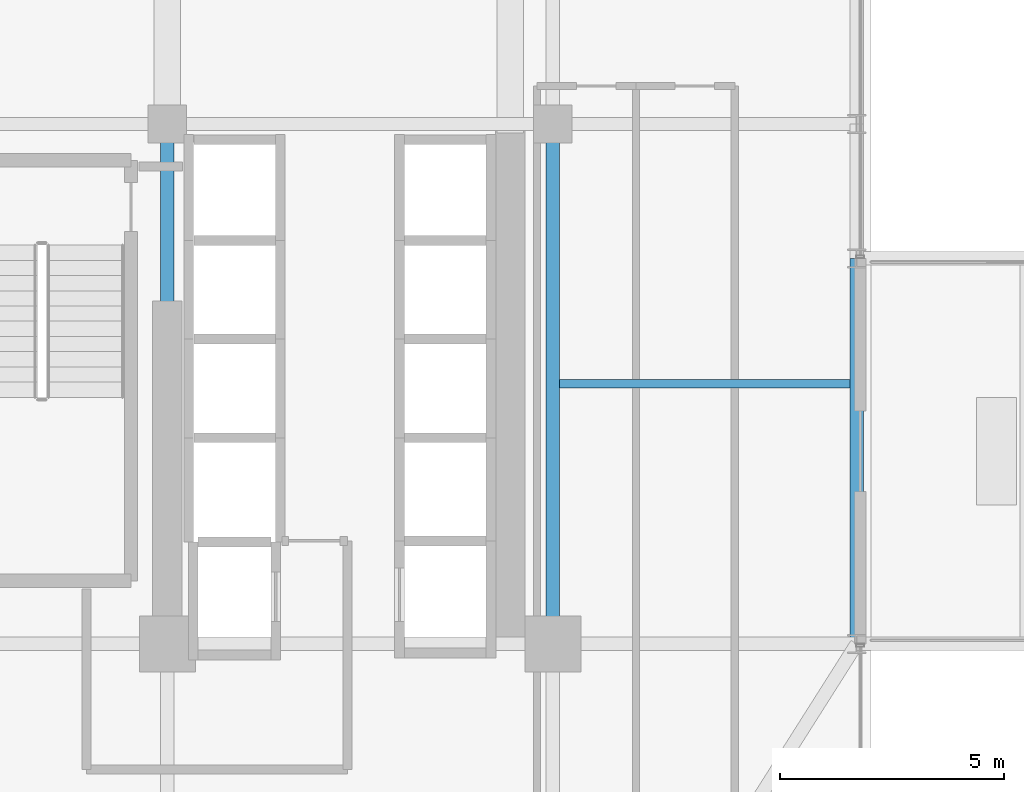
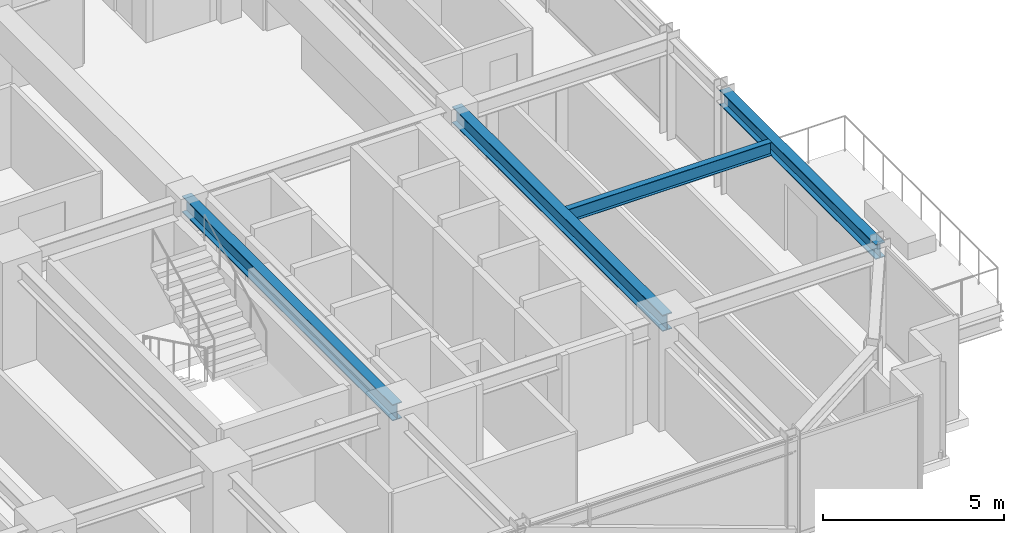
# One storey, part 12 of 41: 4 beams.
"""IFC4 building model written with IfcOpenShell, lengths in metres."""

import ifcopenshell
import ifcopenshell.guid

model = None  # the IFC model being written
_history = None  # IfcOwnerHistory: only IFC2X3 demands one
_inside = {}  # id of a spatial element -> (the spatial element, [elements in it])
_under = {}  # id of a project, library or spatial element -> (it, [spatial elements below it])
_declared = {}  # id of a project -> (the project, [libraries it declares])
_typed = {}  # id of a type object -> (the type object, [elements of that type])
_made_of = {}  # id of a material, layer set ... -> (it, [elements and type objects made of it])


def new_model(schema):
    """Start an empty IFC model of exactly this schema.

    Asked for "IFC4X3", IfcOpenShell would pick the latest addendum, in which some entities
    have other attributes; the version numbers below select the first issue.
    IFC2X3 requires an IfcOwnerHistory on every rooted entity: one is made here for all.
    """
    global model, _history
    if schema == "IFC4X3":
        model = ifcopenshell.file(schema_version=(4, 3, 0, 0))
    else:
        model = ifcopenshell.file(schema=schema)
    _inside.clear()
    _under.clear()
    _declared.clear()
    _typed.clear()
    _made_of.clear()
    _history = None
    if model.schema == "IFC2X3":
        org = make("IfcOrganization", Name="unknown")
        user = make(
            "IfcPersonAndOrganization",
            ThePerson=make("IfcPerson", FamilyName="unknown"),
            TheOrganization=org,
        )
        app = make(
            "IfcApplication",
            ApplicationDeveloper=org,
            Version="unknown",
            ApplicationFullName="unknown",
            ApplicationIdentifier="unknown",
        )
        _history = make(
            "IfcOwnerHistory",
            OwningUser=user,
            OwningApplication=app,
            ChangeAction="ADDED",
            CreationDate=0,
        )
    return model


def make(cls, **values):
    """One entity of the class cls with the attributes given. An attribute that is None is left unset."""
    return model.create_entity(
        cls, **{name: value for name, value in values.items() if value is not None}
    )


def rooted(cls, **values):
    """An entity with a GlobalId (a new one), such as an element, a storey or a relation."""
    return make(cls, GlobalId=ifcopenshell.guid.new(), OwnerHistory=_history, **values)


def si_unit(unit_type, name, prefix=None):
    """IfcSIUnit, for example si_unit("LENGTHUNIT", "METRE", prefix="MILLI")."""
    return make("IfcSIUnit", UnitType=unit_type, Prefix=prefix, Name=name)


def assignment(units):
    """IfcUnitAssignment: the units of a project."""
    return None if units is None else make("IfcUnitAssignment", Units=units)


def point(xyz):
    """IfcCartesianPoint."""
    return None if xyz is None else make("IfcCartesianPoint", Coordinates=xyz)


def direction(xyz):
    """IfcDirection."""
    return None if xyz is None else make("IfcDirection", DirectionRatios=xyz)


def frame(location, z_axis=None, x_axis=None):
    """IfcAxis2Placement3D, a coordinate frame: its origin and axes. An axis left out is left unset."""
    return make(
        "IfcAxis2Placement3D",
        Location=point(location),
        Axis=direction(z_axis),
        RefDirection=direction(x_axis),
    )


def frame_2d(location, x_axis=None):
    """IfcAxis2Placement2D, a coordinate frame in the plane: its origin and x axis."""
    return make(
        "IfcAxis2Placement2D", Location=point(location), RefDirection=direction(x_axis)
    )


def origin():
    """The frame at (0, 0, 0) with its axes left unset."""
    return frame((0.0, 0.0, 0.0))


def origin_2d():
    """The frame at (0, 0) in the plane with its x axis left unset."""
    return frame_2d((0.0, 0.0))


def place(relative_to, where):
    """IfcLocalPlacement: puts the frame where relative to a parent placement (None: the world)."""
    return make(
        "IfcLocalPlacement", PlacementRelTo=relative_to, RelativePlacement=where
    )


def context(
    kind, dimensions, precision=None, world=None, true_north=None, identifier=None
):
    """IfcGeometricRepresentationContext, for example the 3D "Model" context."""
    return make(
        "IfcGeometricRepresentationContext",
        ContextIdentifier=identifier,
        ContextType=kind,
        CoordinateSpaceDimension=dimensions,
        Precision=precision,
        WorldCoordinateSystem=world,
        TrueNorth=true_north,
    )


def subcontext(parent, identifier, kind, view, scale=None):
    """IfcGeometricRepresentationSubContext, for example "Body" below "Model"."""
    return make(
        "IfcGeometricRepresentationSubContext",
        ContextIdentifier=identifier,
        ContextType=kind,
        ParentContext=parent,
        TargetScale=scale,
        TargetView=view,
    )


def project(units=None, contexts=None):
    """IfcProject with its units and contexts."""
    return rooted(
        "IfcProject",
        Name="project",
        RepresentationContexts=contexts,
        UnitsInContext=assignment(units),
    )


def spatial(cls, under=None, at=None, **own):
    """A site, building, storey or space (cls), placed at a placement, below another one or the project."""
    s = rooted(cls, ObjectPlacement=at, **own)
    if under is not None:
        _under.setdefault(under.id(), (under, []))[1].append(s)
    return s


def profile(cls, at=None, kind="AREA", **sizes):
    """A parametric profile (cls). Its sizes go by their IFC names, for example OverallWidth=200.0."""
    return make(cls, ProfileType=kind, Position=at, **sizes)


def i_section(**sizes):
    """IfcIShapeProfileDef."""
    return profile("IfcIShapeProfileDef", **sizes)


def extrude(swept, where, along, depth):
    """IfcExtrudedAreaSolid: the profile swept, set in the frame where, extruded along a direction by depth."""
    return make(
        "IfcExtrudedAreaSolid",
        SweptArea=swept,
        Position=where,
        ExtrudedDirection=direction(along),
        Depth=depth,
    )


def shape(context_of_items, identifier, shape_type, items):
    """IfcShapeRepresentation: the items that make up one representation, for example the "Body"."""
    return make(
        "IfcShapeRepresentation",
        ContextOfItems=context_of_items,
        RepresentationIdentifier=identifier,
        RepresentationType=shape_type,
        Items=items,
    )


def source(mapping_origin, context_of_items, identifier, shape_type, items):
    """IfcRepresentationMap: a shape defined once, which mapped items show again and again."""
    return make(
        "IfcRepresentationMap",
        MappingOrigin=mapping_origin,
        MappedRepresentation=shape(context_of_items, identifier, shape_type, items),
    )


def transform(
    local_origin,
    x_axis=None,
    y_axis=None,
    z_axis=None,
    scale=None,
    scale2=None,
    scale3=None,
    uniform=True,
):
    """IfcCartesianTransformationOperator3D, or its non-uniform kind. x_axis, y_axis, z_axis: its Axis1, 2, 3."""
    if uniform:
        return make(
            "IfcCartesianTransformationOperator3D",
            Axis1=direction(x_axis),
            Axis2=direction(y_axis),
            LocalOrigin=point(local_origin),
            Scale=scale,
            Axis3=direction(z_axis),
        )
    return make(
        "IfcCartesianTransformationOperator3DnonUniform",
        Axis1=direction(x_axis),
        Axis2=direction(y_axis),
        LocalOrigin=point(local_origin),
        Scale=scale,
        Axis3=direction(z_axis),
        Scale2=scale2,
        Scale3=scale3,
    )


def mapped(mapping_source, mapping_target):
    """IfcMappedItem: shows the shape of a source again, moved by a transform."""
    return make(
        "IfcMappedItem", MappingSource=mapping_source, MappingTarget=mapping_target
    )


def material(Name=None, Category=None):
    """IfcMaterial."""
    return make("IfcMaterial", Name=Name, Category=Category)


def material_profile(
    of_material, cross_section, Name=None, Category=None, Priority=None
):
    """IfcMaterialProfile: a cross section and its material."""
    return make(
        "IfcMaterialProfile",
        Name=Name,
        Material=of_material,
        Profile=cross_section,
        Priority=Priority,
        Category=Category,
    )


def profile_set(profiles, Name=None, composite=None):
    """IfcMaterialProfileSet."""
    return make(
        "IfcMaterialProfileSet",
        Name=Name,
        MaterialProfiles=profiles,
        CompositeProfile=composite,
    )


def made_of(thing, what):
    """Note that an element or type object is made of a material, layer set ...; save() writes the relation."""
    if what is not None:
        _made_of.setdefault(what.id(), (what, []))[1].append(thing)
    return thing


def type_object(cls, material=None, **own):
    """A type object (cls), such as IfcWallType, which elements share."""
    return made_of(rooted(cls, **own), material)


def element(
    cls,
    number,
    at=None,
    inside=None,
    cuts=None,
    type_object=None,
    material=None,
    context=None,
    identifier="Body",
    shape_type=None,
    held_by="IfcProductDefinitionShape",
    body=None,
    shapes=None,
    **own,
):
    """One element of the class cls, such as IfcWall. Its Tag is "e" and its number.

    at: its placement. inside: the storey or other place that contains it. cuts: it is an
    opening in that element (IfcRelVoidsElement). A single representation is given by context,
    identifier, shape_type and body (its items); several are given by shapes. held_by: the class
    of the entity that holds the representations. save() writes the other relations.
    """
    e = rooted(cls, Tag="e%d" % number, ObjectPlacement=at, **own)
    if body is not None:
        shapes = [shape(context, identifier, shape_type, body)]
    if shapes is not None:
        e.Representation = make(held_by, Representations=shapes)
    if inside is not None:
        _inside.setdefault(inside.id(), (inside, []))[1].append(e)
    if cuts is not None:
        rooted(
            "IfcRelVoidsElement", RelatingBuildingElement=cuts, RelatedOpeningElement=e
        )
    if type_object is not None:
        _typed.setdefault(type_object.id(), (type_object, []))[1].append(e)
    return made_of(e, material)


def aggregate(whole, parts):
    """IfcRelAggregates: a whole, such as a stair, and the parts it consists of."""
    return rooted("IfcRelAggregates", RelatingObject=whole, RelatedObjects=parts)


def save(model, path):
    """Write the relations noted so far, then the file.

    IfcRelAggregates (storeys below a building ...), IfcRelContainedInSpatialStructure (elements
    in a storey), IfcRelDefinesByType, IfcRelAssociatesMaterial and IfcRelDeclares: one each for
    every whole, place, type object, material and project.
    """
    for whole, parts in _under.values():
        aggregate(whole, parts)
    for where, things in _inside.values():
        rooted(
            "IfcRelContainedInSpatialStructure",
            RelatedElements=things,
            RelatingStructure=where,
        )
    for kind, things in _typed.values():
        rooted("IfcRelDefinesByType", RelatedObjects=things, RelatingType=kind)
    for what, things in _made_of.values():
        rooted("IfcRelAssociatesMaterial", RelatedObjects=things, RelatingMaterial=what)
    for by, libraries in _declared.values():
        rooted("IfcRelDeclares", RelatingContext=by, RelatedDefinitions=libraries)
    model.write(path)


model = new_model("IFC4")

# Units and contexts
model_context = context("Model", 3, precision=1e-05, world=origin(), true_north=direction((0.0, 1.0)))
body_context = subcontext(model_context, "Body", "Model", "MODEL_VIEW")
ifc_project = project(units=[si_unit("LENGTHUNIT", "METRE"), si_unit("AREAUNIT", "SQUARE_METRE"), si_unit("VOLUMEUNIT", "CUBIC_METRE"), si_unit("PLANEANGLEUNIT", "RADIAN"), si_unit("MASSUNIT", "GRAM", prefix="KILO")], contexts=[model_context])

# Site, building, storey
site_placement = place(None, origin())
site = spatial("IfcSite", under=ifc_project, at=site_placement, CompositionType="ELEMENT")
building_placement = place(site_placement, origin())
building = spatial("IfcBuilding", under=site, at=building_placement, Name="Nahalor Promenade Grand Hotel", CompositionType="ELEMENT")
storey_placement = place(building_placement, frame((0.0, 0.0, 113.85009765625)))
storey = spatial("IfcBuildingStorey", under=building, at=storey_placement, Name="L28", CompositionType="ELEMENT", Elevation=113.85009765625)

# Beams
ifc_material = material(Name="Steel S355JR", Category="steel")
ifc_material_profile_1 = material_profile(ifc_material, i_section(OverallWidth=0.3, OverallDepth=0.5, WebThickness=0.0145, FlangeThickness=0.028, at=origin_2d()), Name="HEB 500")
ifc_profile_set_1 = profile_set([ifc_material_profile_1], Name="Steel S355JR")
beam_type_1 = type_object("IfcBeamType", Name="Beam-Spandrel-HEB500", PredefinedType="SPANDREL", material=ifc_profile_set_1)
shared_shape_1 = source(origin(), body_context, "Body", "SweptSolid", [
    extrude(i_section(OverallWidth=0.3, OverallDepth=0.5, WebThickness=0.0145, FlangeThickness=0.028, at=origin_2d()), origin(), (0.0, 0.0, 1.0), 8.60009765625),
])
beam_1_placement = place(storey_placement, frame((23.780029296875, -17.0, 3.1298828125), z_axis=(0.0, 1.0, 0.0), x_axis=(-1.0, 0.0, 0.0)))
element("IfcBeam", 1, at=beam_1_placement, inside=storey, type_object=beam_type_1, Name="BM-L28-SP-E-0", PredefinedType="SPANDREL", context=body_context, shape_type="MappedRepresentation", body=[
    mapped(shared_shape_1, transform((0.0, 0.0, 0.0), scale=1.0)),
])
ifc_material_profile_2 = material_profile(ifc_material, i_section(OverallWidth=0.3, OverallDepth=0.55, WebThickness=0.015, FlangeThickness=0.029, at=origin_2d()), Name="HEB 550")
ifc_profile_set_2 = profile_set([ifc_material_profile_2], Name="Steel S355JR")
beam_type_2 = type_object("IfcBeamType", Name="Beam-Girder-HEB550", PredefinedType="BEAM", material=ifc_profile_set_2)
shared_shape_2 = source(origin(), body_context, "Body", "SweptSolid", [
    extrude(i_section(OverallWidth=0.3, OverallDepth=0.55, WebThickness=0.015, FlangeThickness=0.029, at=origin_2d()), origin(), (0.0, 0.0, 1.0), 11.60009765625),
])
for number, where, z_axis, x_axis, name in (
    (2, (8.39990234375, -17.0, 3.10498046875), (0.0, 1.0, 0.0), (-1.0, 0.0, 0.0), "BM-L28-GY-4-1"),
    (3, (17.0, -17.0, 3.10498046875), (0.0, 1.0, 0.0), (-1.0, 0.0, 0.0), "BM-L28-GY-5-1"),
):
    element("IfcBeam", number, at=place(storey_placement, frame(where, z_axis=z_axis, x_axis=x_axis)), inside=storey, type_object=beam_type_2, Name=name, PredefinedType="BEAM", context=body_context, shape_type="MappedRepresentation", body=[
        mapped(shared_shape_2, transform((0.0, 0.0, 0.0), scale=1.0)),
    ])
ifc_material_profile_3 = material_profile(ifc_material, i_section(OverallWidth=0.19, OverallDepth=0.45, WebThickness=0.0094, FlangeThickness=0.0146, at=origin_2d()), Name="IPE 450")
ifc_profile_set_3 = profile_set([ifc_material_profile_3], Name="Steel S355JR")
beam_type_3 = type_object("IfcBeamType", Name="Beam-Joist-IPE450", PredefinedType="JOIST", material=ifc_profile_set_3)
shared_shape_3 = source(origin(), body_context, "Body", "SweptSolid", [
    extrude(i_section(OverallWidth=0.19, OverallDepth=0.45, WebThickness=0.0094, FlangeThickness=0.0146, at=origin_2d()), origin(), (0.0, 0.0, 1.0), 6.47998046875),
])
beam_2_placement = place(storey_placement, frame((17.14990234375, -11.199951171875, 3.15478515625), z_axis=(1.0, 0.0, 0.0), x_axis=(0.0, 1.0, 0.0)))
element("IfcBeam", 4, at=beam_2_placement, inside=storey, type_object=beam_type_3, Name="BM-L28-JSE-0-2", PredefinedType="JOIST", context=body_context, shape_type="MappedRepresentation", body=[
    mapped(shared_shape_3, transform((0.0, 0.0, 0.0), scale=1.0)),
])

save(model, "model.ifc")
